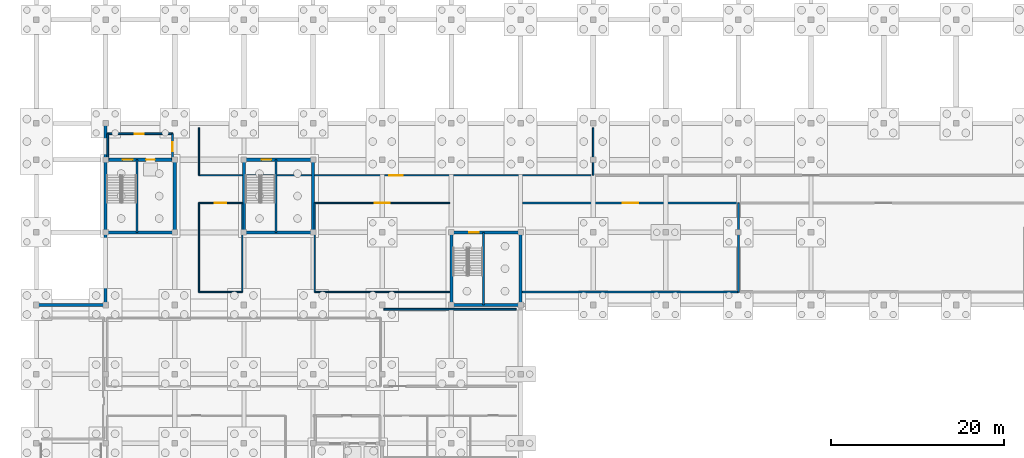
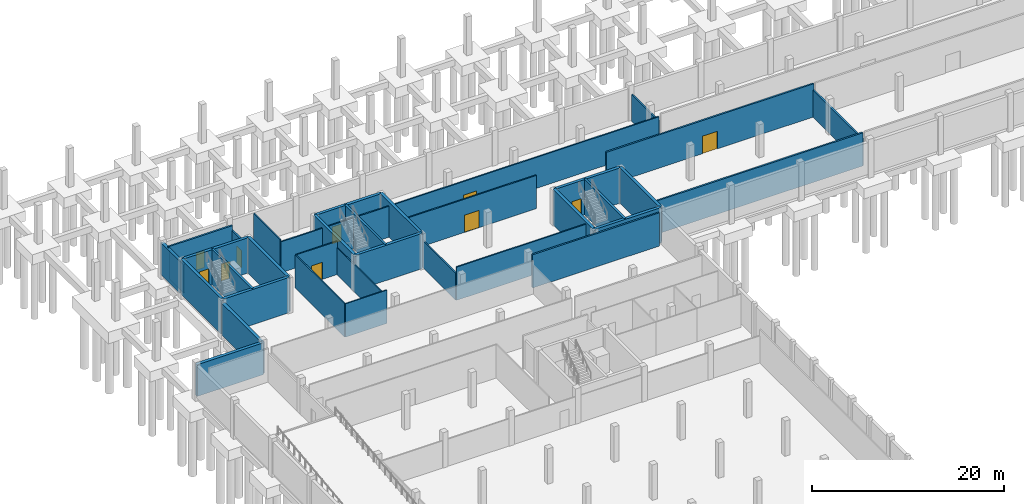
# One storey, part 12 of 22: 35 walls, 10 doors, 10 openings.
"""IFC4 building model written with IfcOpenShell, lengths in metres."""

from ifc_helpers import new_model, si_unit, direction, frame, frame_2d, origin, place, context, subcontext, project, spatial, rectangle, extrude, material, layer, layer_set, type_object, element, fill, save


model = new_model("IFC4")

# Units and contexts
model_context = context("Model", 3, precision=1e-05, world=origin(), true_north=direction((0.0, 1.0)))
body_context = subcontext(model_context, "Body", "Model", "MODEL_VIEW")
ifc_project = project(units=[si_unit("LENGTHUNIT", "METRE"), si_unit("AREAUNIT", "SQUARE_METRE"), si_unit("VOLUMEUNIT", "CUBIC_METRE"), si_unit("PLANEANGLEUNIT", "RADIAN"), si_unit("MASSUNIT", "GRAM", prefix="KILO")], contexts=[model_context])

# Site, building, storey
site_placement = place(None, origin())
site = spatial("IfcSite", under=ifc_project, at=site_placement, CompositionType="ELEMENT")
building_placement = place(site_placement, origin())
building = spatial("IfcBuilding", under=site, at=building_placement, Name="Vharandega Faculty of Natural Sciences", CompositionType="ELEMENT")
storey_placement = place(building_placement, frame((0.0, 0.0, -4.5)))
storey = spatial("IfcBuildingStorey", under=building, at=storey_placement, Name="B01", CompositionType="ELEMENT", Elevation=-4.5)

# Walls
ifc_material_1 = material(Name="Concrete C35/45", Category="concrete")
ifc_layer_1 = layer(ifc_material_1, 0.3798828125, Name="Concrete C35/45")
ifc_layer_set_1 = layer_set([ifc_layer_1], Name="Concrete C35/45")
wall_type_1 = type_object("IfcWallType", Name="Basement Retaining Wall 380", PredefinedType="USERDEFINED", material=ifc_layer_set_1)
wall_1_placement = place(storey_placement, frame((8.0, 64.0, 0.0), z_axis=(0.0, 0.0, 1.0), x_axis=(0.0, 1.0, 0.0)))
element("IfcWall", 1, at=wall_1_placement, inside=storey, type_object=wall_type_1, Name="Exterior Wall EW-B01-WN1", ObjectType="RETAINING WALL", PredefinedType="USERDEFINED", context=body_context, shape_type="SweptSolid", body=[
    extrude(rectangle(XDim=8.219970703125, YDim=0.3798828125, at=frame_2d((4.10986328125, 0.0))), origin(), (0.0, 0.0, 1.0), 4.050048828125),
])
wall_2_placement = place(storey_placement, frame((8.0, 80.97998046875, 0.0), z_axis=(0.0, 0.0, 1.0), x_axis=(0.0, 1.0, 0.0)))
element("IfcWall", 2, at=wall_2_placement, inside=storey, type_object=wall_type_1, Name="Exterior Wall EW-B01-WN2", ObjectType="RETAINING WALL", PredefinedType="USERDEFINED", context=body_context, shape_type="SweptSolid", body=[
    extrude(rectangle(XDim=4.02001953125, YDim=0.3798828125, at=frame_2d((2.010009765625, 0.0))), origin(), (0.0, 0.0, 1.0), 4.050048828125),
])
wall_3_placement = place(storey_placement, frame((0.0, 64.0, 0.0), z_axis=(0.0, 0.0, 1.0), x_axis=(1.0, 0.0, 0.0)))
element("IfcWall", 3, at=wall_3_placement, inside=storey, type_object=wall_type_1, Name="Exterior Wall EW-B01-NW", ObjectType="RETAINING WALL", PredefinedType="USERDEFINED", context=body_context, shape_type="SweptSolid", body=[
    extrude(rectangle(XDim=8.0, YDim=0.3798828125, at=frame_2d((4.0, 0.0))), origin(), (0.0, 0.0, 1.0), 4.050048828125),
])
ifc_material_2 = material(Name="Concrete C40/50", Category="concrete")
ifc_layer_2 = layer(ifc_material_2, 0.35009765625, Name="Concrete C40/50")
ifc_layer_set_2 = layer_set([ifc_layer_2], Name="Concrete C40/50")
wall_type_2 = type_object("IfcWallType", Name="Core Shear Wall 350", PredefinedType="SHEAR", material=ifc_layer_set_2)
wall_4_placement = place(storey_placement, frame((8.0, 72.39990234375, 0.0), z_axis=(0.0, 0.0, 1.0), x_axis=(1.0, 0.0, 0.0)))
element("IfcWall", 4, at=wall_4_placement, inside=storey, type_object=wall_type_2, Name="Interior Wall CW-C4-B01-S", PredefinedType="SHEAR", context=body_context, shape_type="SweptSolid", body=[
    extrude(rectangle(XDim=8.0, YDim=0.35009765625, at=frame_2d((4.0, 0.0))), origin(), (0.0, 0.0, 1.0), 4.5),
])
for number, where, z_axis, x_axis, name in (
    (5, (8.0, 72.39990234375, 0.0), (0.0, 0.0, 1.0), (0.0, 1.0, 0.0), "Interior Wall CW-C4-B01-W"),
    (6, (16.0, 72.39990234375, 0.0), (0.0, 0.0, 1.0), (0.0, 1.0, 0.0), "Interior Wall CW-C4-B01-E"),
):
    element("IfcWall", number, at=place(storey_placement, frame(where, z_axis=z_axis, x_axis=x_axis)), inside=storey, type_object=wall_type_2, Name=name, PredefinedType="SHEAR", context=body_context, shape_type="SweptSolid", body=[
        extrude(rectangle(XDim=8.400146484375, YDim=0.35009765625, at=frame_2d((4.2001953125, 0.0))), origin(), (0.0, 0.0, 1.0), 4.5),
    ])

# Wall, openings, doors
wall_5_placement = place(storey_placement, frame((8.0, 80.800048828125, 0.0), z_axis=(0.0, 0.0, 1.0), x_axis=(1.0, 0.0, 0.0)))
wall_5 = element("IfcWall", 7, at=wall_5_placement, inside=storey, type_object=wall_type_2, Name="Interior Wall CW-C4-B01-N", PredefinedType="SHEAR", context=body_context, shape_type="SweptSolid", body=[
    extrude(rectangle(XDim=8.0, YDim=0.35009765625, at=frame_2d((4.0, 0.0))), origin(), (0.0, 0.0, 1.0), 4.5),
])
opening_1_placement = place(wall_5_placement, frame((1.97998046875, 0.0, 0.0)))
opening_1 = element("IfcOpeningElement", 8, at=opening_1_placement, cuts=wall_5, Name="Opening FD1", PredefinedType="OPENING", context=body_context, shape_type="SweptSolid", body=[
    extrude(rectangle(XDim=1.14990234375, YDim=2.199951171875, at=frame_2d((0.574951171875, 1.10009765625))), frame((0.0, 0.18505859375, 0.0), z_axis=(0.0, -1.0, 0.0), x_axis=(1.0, 0.0, 0.0)), (0.0, 0.0, 1.0), 0.3701171875),
])
opening_2_placement = place(wall_5_placement, frame((4.699951171875, 0.0, 0.0)))
opening_2 = element("IfcOpeningElement", 9, at=opening_2_placement, cuts=wall_5, Name="Opening LD-LP2-B01", PredefinedType="OPENING", context=body_context, shape_type="SweptSolid", body=[
    extrude(rectangle(XDim=1.0, YDim=2.14990234375, at=frame_2d((0.5, 1.074951171875))), frame((0.0, 0.18505859375, 0.0), z_axis=(0.0, -1.0, 0.0), x_axis=(1.0, 0.0, 0.0)), (0.0, 0.0, 1.0), 0.3701171875),
])
ifc_material_3 = material(Name="Solid-core hardwood timber fire door", Category="wood")
door_type_1 = type_object("IfcDoorType", Name="FD1-STAIR-1150x2200", OperationType="NOTDEFINED", PredefinedType="DOOR", material=ifc_material_3)
door_1_placement = place(opening_1_placement, origin())
door_1 = element("IfcDoor", 10, at=door_1_placement, inside=storey, type_object=door_type_1, Name="Stair ST4 Fire Door FD1", OperationType="SINGLE_SWING_LEFT", OverallHeight=2.199951171875, OverallWidth=1.14990234375, PredefinedType="DOOR", context=body_context, shape_type="SweptSolid", body=[
    extrude(rectangle(XDim=1.14990234375, YDim=2.199951171875, at=frame_2d((0.574951171875, 1.10009765625))), frame((0.0, 0.02490234375, 0.0), z_axis=(0.0, -1.0, 0.0), x_axis=(1.0, 0.0, 0.0)), (0.0, 0.0, 1.0), 0.050048828125),
])
fill(opening_1, door_1)
ifc_material_4 = material(Name="Brushed stainless steel sliding landing door", Category="steel")
door_type_2 = type_object("IfcDoorType", Name="LD2-PAXLIFT-SLIDING-1000x2150", OperationType="DOUBLE_DOOR_SLIDING", PredefinedType="DOOR", material=ifc_material_4)
door_2_placement = place(opening_2_placement, origin())
door_2 = element("IfcDoor", 11, at=door_2_placement, inside=storey, type_object=door_type_2, Name="Lift Landing Door LD-LP2-B01", OperationType="DOUBLE_DOOR_SLIDING", OverallHeight=2.14990234375, OverallWidth=1.0, PredefinedType="DOOR", context=body_context, shape_type="SweptSolid", body=[
    extrude(rectangle(XDim=1.0, YDim=2.14990234375, at=frame_2d((0.5, 1.074951171875))), frame((0.0, 0.02490234375, 0.0), z_axis=(0.0, -1.0, 0.0), x_axis=(1.0, 0.0, 0.0)), (0.0, 0.0, 1.0), 0.050048828125),
])
fill(opening_2, door_2)

# Walls
wall_6_placement = place(storey_placement, frame((48.0, 64.0, 0.0), z_axis=(0.0, 0.0, 1.0), x_axis=(1.0, 0.0, 0.0)))
element("IfcWall", 12, at=wall_6_placement, inside=storey, type_object=wall_type_2, Name="Interior Wall CW-C5-B01-S", PredefinedType="SHEAR", context=body_context, shape_type="SweptSolid", body=[
    extrude(rectangle(XDim=8.0, YDim=0.35009765625, at=frame_2d((4.0, 0.0))), origin(), (0.0, 0.0, 1.0), 4.5),
])
for number, where, z_axis, x_axis, name in (
    (13, (48.0, 64.0, 0.0), (0.0, 0.0, 1.0), (0.0, 1.0, 0.0), "Interior Wall CW-C5-B01-W"),
    (14, (56.0, 64.0, 0.0), (0.0, 0.0, 1.0), (0.0, 1.0, 0.0), "Interior Wall CW-C5-B01-E"),
):
    element("IfcWall", number, at=place(storey_placement, frame(where, z_axis=z_axis, x_axis=x_axis)), inside=storey, type_object=wall_type_2, Name=name, PredefinedType="SHEAR", context=body_context, shape_type="SweptSolid", body=[
        extrude(rectangle(XDim=8.39990234375, YDim=0.35009765625, at=frame_2d((4.199951171875, 0.0))), origin(), (0.0, 0.0, 1.0), 4.5),
    ])

# Wall, opening, door
wall_7_placement = place(storey_placement, frame((48.0, 72.39990234375, 0.0), z_axis=(0.0, 0.0, 1.0), x_axis=(1.0, 0.0, 0.0)))
wall_7 = element("IfcWall", 15, at=wall_7_placement, inside=storey, type_object=wall_type_2, Name="Interior Wall CW-C5-B01-N", PredefinedType="SHEAR", context=body_context, shape_type="SweptSolid", body=[
    extrude(rectangle(XDim=8.0, YDim=0.35009765625, at=frame_2d((4.0, 0.0))), origin(), (0.0, 0.0, 1.0), 4.5),
])
opening_3_placement = place(wall_7_placement, frame((2.0400390625, 0.0, 0.0)))
opening_3 = element("IfcOpeningElement", 16, at=opening_3_placement, cuts=wall_7, Name="Opening FD1", PredefinedType="OPENING", context=body_context, shape_type="SweptSolid", body=[
    extrude(rectangle(XDim=1.14990234375, YDim=2.199951171875, at=frame_2d((0.574951171875, 1.10009765625))), frame((0.0, 0.18505859375, 0.0), z_axis=(0.0, -1.0, 0.0), x_axis=(1.0, 0.0, 0.0)), (0.0, 0.0, 1.0), 0.3701171875),
])
door_3_placement = place(opening_3_placement, origin())
door_3 = element("IfcDoor", 17, at=door_3_placement, inside=storey, type_object=door_type_1, Name="Stair ST5 Fire Door FD1", OperationType="SINGLE_SWING_LEFT", OverallHeight=2.199951171875, OverallWidth=1.14990234375, PredefinedType="DOOR", context=body_context, shape_type="SweptSolid", body=[
    extrude(rectangle(XDim=1.14990234375, YDim=2.199951171875, at=frame_2d((0.574951171875, 1.10009765625))), frame((0.0, 0.02490234375, 0.0), z_axis=(0.0, -1.0, 0.0), x_axis=(1.0, 0.0, 0.0)), (0.0, 0.0, 1.0), 0.050048828125),
])
fill(opening_3, door_3)

# Walls
wall_8_placement = place(storey_placement, frame((24.0, 72.39990234375, 0.0), z_axis=(0.0, 0.0, 1.0), x_axis=(1.0, 0.0, 0.0)))
element("IfcWall", 18, at=wall_8_placement, inside=storey, type_object=wall_type_2, Name="Interior Wall CW-C6-B01-S", PredefinedType="SHEAR", context=body_context, shape_type="SweptSolid", body=[
    extrude(rectangle(XDim=8.0, YDim=0.35009765625, at=frame_2d((4.0, 0.0))), origin(), (0.0, 0.0, 1.0), 4.5),
])
for number, where, z_axis, x_axis, name in (
    (19, (24.0, 72.39990234375, 0.0), (0.0, 0.0, 1.0), (0.0, 1.0, 0.0), "Interior Wall CW-C6-B01-W"),
    (20, (32.0, 72.39990234375, 0.0), (0.0, 0.0, 1.0), (0.0, 1.0, 0.0), "Interior Wall CW-C6-B01-E"),
):
    element("IfcWall", number, at=place(storey_placement, frame(where, z_axis=z_axis, x_axis=x_axis)), inside=storey, type_object=wall_type_2, Name=name, PredefinedType="SHEAR", context=body_context, shape_type="SweptSolid", body=[
        extrude(rectangle(XDim=8.400146484375, YDim=0.35009765625, at=frame_2d((4.2001953125, 0.0))), origin(), (0.0, 0.0, 1.0), 4.5),
    ])

# Wall, opening, door
wall_9_placement = place(storey_placement, frame((24.0, 80.800048828125, 0.0), z_axis=(0.0, 0.0, 1.0), x_axis=(1.0, 0.0, 0.0)))
wall_9 = element("IfcWall", 21, at=wall_9_placement, inside=storey, type_object=wall_type_2, Name="Interior Wall CW-C6-B01-N", PredefinedType="SHEAR", context=body_context, shape_type="SweptSolid", body=[
    extrude(rectangle(XDim=8.0, YDim=0.35009765625, at=frame_2d((4.0, 0.0))), origin(), (0.0, 0.0, 1.0), 4.5),
])
opening_4_placement = place(wall_9_placement, frame((2.0400390625, 0.0, 0.0)))
opening_4 = element("IfcOpeningElement", 22, at=opening_4_placement, cuts=wall_9, Name="Opening FD1", PredefinedType="OPENING", context=body_context, shape_type="SweptSolid", body=[
    extrude(rectangle(XDim=1.14990234375, YDim=2.199951171875, at=frame_2d((0.574951171875, 1.10009765625))), frame((0.0, 0.18505859375, 0.0), z_axis=(0.0, -1.0, 0.0), x_axis=(1.0, 0.0, 0.0)), (0.0, 0.0, 1.0), 0.3701171875),
])
door_4_placement = place(opening_4_placement, origin())
door_4 = element("IfcDoor", 23, at=door_4_placement, inside=storey, type_object=door_type_1, Name="Stair ST6 Fire Door FD1", OperationType="SINGLE_SWING_LEFT", OverallHeight=2.199951171875, OverallWidth=1.14990234375, PredefinedType="DOOR", context=body_context, shape_type="SweptSolid", body=[
    extrude(rectangle(XDim=1.14990234375, YDim=2.199951171875, at=frame_2d((0.574951171875, 1.10009765625))), frame((0.0, 0.02490234375, 0.0), z_axis=(0.0, -1.0, 0.0), x_axis=(1.0, 0.0, 0.0)), (0.0, 0.0, 1.0), 0.050048828125),
])
fill(opening_4, door_4)

ifc_material_5 = material(Name="Concrete C40/50", Category="concrete")
ifc_layer_3 = layer(ifc_material_5, 0.199951171875, Name="Concrete C40/50")
ifc_layer_set_3 = layer_set([ifc_layer_3], Name="Concrete C40/50")
wall_type_3 = type_object("IfcWallType", Name="Firefighting Lobby Wall 200", PredefinedType="PARTITIONING", material=ifc_layer_set_3)
wall_10_placement = place(storey_placement, frame((8.0, 83.800048828125, 0.0), z_axis=(0.0, 0.0, 1.0), x_axis=(1.0, 0.0, 0.0)))
wall_10 = element("IfcWall", 24, at=wall_10_placement, inside=storey, type_object=wall_type_3, Name="Interior Wall PW-LL-C4-B01-N", PredefinedType="PARTITIONING", context=body_context, shape_type="SweptSolid", body=[
    extrude(rectangle(XDim=7.75, YDim=0.199951171875, at=frame_2d((3.875, 0.0))), origin(), (0.0, 0.0, 1.0), 4.219970703125),
])
opening_5_placement = place(wall_10_placement, frame((3.375, 0.0, 0.0)))
opening_5 = element("IfcOpeningElement", 25, at=opening_5_placement, cuts=wall_10, Name="Opening FD4", PredefinedType="OPENING", context=body_context, shape_type="SweptSolid", body=[
    extrude(rectangle(XDim=1.050048828125, YDim=2.14990234375, at=frame_2d((0.52490234375, 1.074951171875))), frame((0.0, 0.10986328125, 0.0), z_axis=(0.0, -1.0, 0.0), x_axis=(1.0, 0.0, 0.0)), (0.0, 0.0, 1.0), 0.219970703125),
])
ifc_material_6 = material(Name="Solid-core hardwood timber fire door", Category="wood")
door_type_3 = type_object("IfcDoorType", Name="FD4-LAB-SGL-1050x2150", OperationType="NOTDEFINED", PredefinedType="DOOR", material=ifc_material_6)
door_5_placement = place(opening_5_placement, origin())
door_5 = element("IfcDoor", 26, at=door_5_placement, inside=storey, type_object=door_type_3, Name="Lift Lobby C4 Door FD4", OperationType="SINGLE_SWING_LEFT", OverallHeight=2.14990234375, OverallWidth=1.050048828125, PredefinedType="DOOR", context=body_context, shape_type="SweptSolid", body=[
    extrude(rectangle(XDim=1.050048828125, YDim=2.14990234375, at=frame_2d((0.52490234375, 1.074951171875))), frame((0.0, 0.02490234375, 0.0), z_axis=(0.0, -1.0, 0.0), x_axis=(1.0, 0.0, 0.0)), (0.0, 0.0, 1.0), 0.050048828125),
])
fill(opening_5, door_5)

wall_11_placement = place(storey_placement, frame((15.75, 80.800048828125, 0.0), z_axis=(0.0, 0.0, 1.0), x_axis=(0.0, 1.0, 0.0)))
wall_11 = element("IfcWall", 27, at=wall_11_placement, inside=storey, type_object=wall_type_3, Name="Interior Wall PW-LL-C4-B01-E", PredefinedType="PARTITIONING", context=body_context, shape_type="SweptSolid", body=[
    extrude(rectangle(XDim=3.0, YDim=0.199951171875, at=frame_2d((1.5, 0.0))), origin(), (0.0, 0.0, 1.0), 3.6201171875),
])
opening_6_placement = place(wall_11_placement, frame((0.97509765625, 0.0, 0.0)))
opening_6 = element("IfcOpeningElement", 28, at=opening_6_placement, cuts=wall_11, Name="Opening FD4", PredefinedType="OPENING", context=body_context, shape_type="SweptSolid", body=[
    extrude(rectangle(XDim=1.050048828125, YDim=2.14990234375, at=frame_2d((0.52490234375, 1.074951171875))), frame((0.0, 0.10986328125, 0.0), z_axis=(0.0, -1.0, 0.0), x_axis=(1.0, 0.0, 0.0)), (0.0, 0.0, 1.0), 0.219970703125),
])
door_6_placement = place(opening_6_placement, origin())
door_6 = element("IfcDoor", 29, at=door_6_placement, inside=storey, type_object=door_type_3, Name="Lift Lobby C4 East Door FD4", OperationType="SINGLE_SWING_RIGHT", OverallHeight=2.14990234375, OverallWidth=1.050048828125, PredefinedType="DOOR", context=body_context, shape_type="SweptSolid", body=[
    extrude(rectangle(XDim=1.050048828125, YDim=2.14990234375, at=frame_2d((0.52490234375, 1.074951171875))), frame((0.0, 0.02490234375, 0.0), z_axis=(0.0, -1.0, 0.0), x_axis=(1.0, 0.0, 0.0)), (0.0, 0.0, 1.0), 0.050048828125),
])
fill(opening_6, door_6)

# Walls
wall_12_placement = place(storey_placement, frame((8.25, 80.800048828125, 0.0), z_axis=(0.0, 0.0, 1.0), x_axis=(0.0, 1.0, 0.0)))
element("IfcWall", 30, at=wall_12_placement, inside=storey, type_object=wall_type_3, Name="Interior Wall PW-LL-C4-B01-W", PredefinedType="PARTITIONING", context=body_context, shape_type="SweptSolid", body=[
    extrude(rectangle(XDim=3.0, YDim=0.199951171875, at=frame_2d((1.5, 0.0))), origin(), (0.0, 0.0, 1.0), 3.6201171875),
])
wall_13_placement = place(storey_placement, frame((40.199951171875, 63.5, 0.0), z_axis=(0.0, 0.0, 1.0), x_axis=(1.0, 0.0, 0.0)))
element("IfcWall", 31, at=wall_13_placement, inside=storey, type_object=wall_type_3, Name="Interior Wall PW-B01-R08N", PredefinedType="PARTITIONING", context=body_context, shape_type="SweptSolid", body=[
    extrude(rectangle(XDim=15.300048828125, YDim=0.199951171875, at=frame_2d((7.64990234375, 0.0))), origin(), (0.0, 0.0, 1.0), 4.239990234375),
])
wall_14_placement = place(storey_placement, frame((56.199951171875, 65.5, 0.0), z_axis=(0.0, 0.0, 1.0), x_axis=(1.0, 0.0, 0.0)))
element("IfcWall", 32, at=wall_14_placement, inside=storey, type_object=wall_type_3, Name="Interior Wall PW-B01-R11S", PredefinedType="PARTITIONING", context=body_context, shape_type="SweptSolid", body=[
    extrude(rectangle(XDim=25.0, YDim=0.199951171875, at=frame_2d((12.5, 0.0))), origin(), (0.0, 0.0, 1.0), 4.239990234375),
])

# Wall, opening, door
wall_15_placement = place(storey_placement, frame((56.199951171875, 75.800048828125, 0.0), z_axis=(0.0, 0.0, 1.0), x_axis=(1.0, 0.0, 0.0)))
wall_15 = element("IfcWall", 33, at=wall_15_placement, inside=storey, type_object=wall_type_3, Name="Interior Wall PW-B01-R11N", PredefinedType="PARTITIONING", context=body_context, shape_type="SweptSolid", body=[
    extrude(rectangle(XDim=25.0, YDim=0.199951171875, at=frame_2d((12.5, 0.0))), origin(), (0.0, 0.0, 1.0), 4.239990234375),
])
opening_7_placement = place(wall_15_placement, frame((11.60009765625, 0.0, 0.0)))
opening_7 = element("IfcOpeningElement", 34, at=opening_7_placement, cuts=wall_15, Name="Opening FD5", PredefinedType="OPENING", context=body_context, shape_type="SweptSolid", body=[
    extrude(rectangle(XDim=1.800048828125, YDim=2.25, at=frame_2d((0.89990234375, 1.125))), frame((0.0, 0.10986328125, 0.0), z_axis=(0.0, -1.0, 0.0), x_axis=(1.0, 0.0, 0.0)), (0.0, 0.0, 1.0), 0.219970703125),
])
ifc_material_7 = material(Name="Solid-core hardwood timber fire door", Category="wood")
door_type_4 = type_object("IfcDoorType", Name="FD5-PLANT-DBL-1800x2250", OperationType="DOUBLE_DOOR_SINGLE_SWING", PredefinedType="DOOR", material=ifc_material_7)
door_7_placement = place(opening_7_placement, origin())
door_7 = element("IfcDoor", 35, at=door_7_placement, inside=storey, type_object=door_type_4, Name="Central Chemical and Specimen Store Door FD5", OperationType="DOUBLE_DOOR_SINGLE_SWING", OverallHeight=2.25, OverallWidth=1.800048828125, PredefinedType="DOOR", context=body_context, shape_type="SweptSolid", body=[
    extrude(rectangle(XDim=1.800048828125, YDim=2.25, at=frame_2d((0.89990234375, 1.125))), frame((0.0, 0.02490234375, 0.0), z_axis=(0.0, -1.0, 0.0), x_axis=(1.0, 0.0, 0.0)), (0.0, 0.0, 1.0), 0.050048828125),
])
fill(opening_7, door_7)

# Walls
wall_16_placement = place(storey_placement, frame((81.199951171875, 65.5, 0.0), z_axis=(0.0, 0.0, 1.0), x_axis=(0.0, 1.0, 0.0)))
element("IfcWall", 36, at=wall_16_placement, inside=storey, type_object=wall_type_3, Name="Interior Wall PW-B01-R11E", PredefinedType="PARTITIONING", context=body_context, shape_type="SweptSolid", body=[
    extrude(rectangle(XDim=10.300048828125, YDim=0.199951171875, at=frame_2d((5.14990234375, 0.0))), origin(), (0.0, 0.0, 1.0), 3.449951171875),
])
ifc_material_8 = material(Name="Gypsum fire-board on steel stud", Category="steel")
ifc_layer_4 = layer(ifc_material_8, 0.159912109375, Name="Gypsum fire-board on steel stud")
ifc_layer_set_4 = layer_set([ifc_layer_4], Name="Gypsum fire-board on steel stud")
wall_type_4 = type_object("IfcWallType", Name="Laboratory Fire Corridor Wall 160", PredefinedType="PARTITIONING", material=ifc_layer_set_4)
wall_17_placement = place(storey_placement, frame((32.199951171875, 65.5, 0.0), z_axis=(0.0, 0.0, 1.0), x_axis=(1.0, 0.0, 0.0)))
element("IfcWall", 37, at=wall_17_placement, inside=storey, type_object=wall_type_4, Name="Interior Wall PW-B01-R10S", PredefinedType="PARTITIONING", context=body_context, shape_type="SweptSolid", body=[
    extrude(rectangle(XDim=15.60009765625, YDim=0.159912109375, at=frame_2d((7.800048828125, 0.0))), origin(), (0.0, 0.0, 1.0), 4.239990234375),
])

# Wall, opening, door
wall_18_placement = place(storey_placement, frame((32.199951171875, 75.800048828125, 0.0), z_axis=(0.0, 0.0, 1.0), x_axis=(1.0, 0.0, 0.0)))
wall_18 = element("IfcWall", 38, at=wall_18_placement, inside=storey, type_object=wall_type_4, Name="Interior Wall PW-B01-R10N", PredefinedType="PARTITIONING", context=body_context, shape_type="SweptSolid", body=[
    extrude(rectangle(XDim=15.60009765625, YDim=0.159912109375, at=frame_2d((7.800048828125, 0.0))), origin(), (0.0, 0.0, 1.0), 4.239990234375),
])
opening_8_placement = place(wall_18_placement, frame((6.925048828125, 0.0, 0.0)))
opening_8 = element("IfcOpeningElement", 39, at=opening_8_placement, cuts=wall_18, Name="Opening D0222", PredefinedType="OPENING", context=body_context, shape_type="SweptSolid", body=[
    extrude(rectangle(XDim=1.75, YDim=2.199951171875, at=frame_2d((0.875, 1.10009765625))), frame((0.0, 0.08984375, 0.0), z_axis=(0.0, -1.0, 0.0), x_axis=(1.0, 0.0, 0.0)), (0.0, 0.0, 1.0), 0.179931640625),
])
ifc_material_9 = material(Name="Solid-core hardwood timber fire door", Category="wood")
door_type_5 = type_object("IfcDoorType", Name="ID09-HERBARIUM-DBL-1750x2200", OperationType="DOUBLE_DOOR_SINGLE_SWING", PredefinedType="DOOR", material=ifc_material_9)
door_8_placement = place(opening_8_placement, origin())
door_8 = element("IfcDoor", 40, at=door_8_placement, inside=storey, type_object=door_type_5, Name="Herbarium Cryogenic Specimen Vault Door D0222", OperationType="DOUBLE_DOOR_SINGLE_SWING", OverallHeight=2.199951171875, OverallWidth=1.75, PredefinedType="DOOR", context=body_context, shape_type="SweptSolid", body=[
    extrude(rectangle(XDim=1.75, YDim=2.199951171875, at=frame_2d((0.875, 1.10009765625))), frame((0.0, 0.02490234375, 0.0), z_axis=(0.0, -1.0, 0.0), x_axis=(1.0, 0.0, 0.0)), (0.0, 0.0, 1.0), 0.050048828125),
])
fill(opening_8, door_8)

# Wall
wall_19_placement = place(storey_placement, frame((32.199951171875, 65.5, 0.0), z_axis=(0.0, 0.0, 1.0), x_axis=(0.0, 1.0, 0.0)))
element("IfcWall", 41, at=wall_19_placement, inside=storey, type_object=wall_type_4, Name="Interior Wall PW-B01-R10W", PredefinedType="PARTITIONING", context=body_context, shape_type="SweptSolid", body=[
    extrude(rectangle(XDim=10.300048828125, YDim=0.159912109375, at=frame_2d((5.14990234375, 0.0))), origin(), (0.0, 0.0, 1.0), 3.449951171875),
])

# Wall, opening, door
wall_20_placement = place(storey_placement, frame((18.800048828125, 79.0, 0.0), z_axis=(0.0, 0.0, 1.0), x_axis=(1.0, 0.0, 0.0)))
wall_20 = element("IfcWall", 42, at=wall_20_placement, inside=storey, type_object=wall_type_4, Name="Interior Wall PW-B01-R14S", PredefinedType="PARTITIONING", context=body_context, shape_type="SweptSolid", body=[
    extrude(rectangle(XDim=45.599853515625, YDim=0.159912109375, at=frame_2d((22.7998046875, 0.0))), origin(), (0.0, 0.0, 1.0), 3.949951171875),
])
opening_9_placement = place(wall_20_placement, frame((22.0, 0.0, 0.0)))
opening_9 = element("IfcOpeningElement", 43, at=opening_9_placement, cuts=wall_20, Name="Opening FD3", PredefinedType="OPENING", context=body_context, shape_type="SweptSolid", body=[
    extrude(rectangle(XDim=1.60009765625, YDim=2.199951171875, at=frame_2d((0.800048828125, 1.10009765625))), frame((0.0, 0.08984375, 0.0), z_axis=(0.0, -1.0, 0.0), x_axis=(1.0, 0.0, 0.0)), (0.0, 0.0, 1.0), 0.179931640625),
])
ifc_material_10 = material(Name="Solid-core hardwood timber fire door", Category="wood")
door_type_6 = type_object("IfcDoorType", Name="FD3-LAB-DBL-1600x2200", OperationType="DOUBLE_DOOR_SINGLE_SWING", PredefinedType="DOOR", material=ifc_material_10)
door_9_placement = place(opening_9_placement, origin())
door_9 = element("IfcDoor", 44, at=door_9_placement, inside=storey, type_object=door_type_6, Name="Laboratory Acid-Neutralization and Pump Plant Door FD3", OperationType="DOUBLE_DOOR_SINGLE_SWING", OverallHeight=2.199951171875, OverallWidth=1.60009765625, PredefinedType="DOOR", context=body_context, shape_type="SweptSolid", body=[
    extrude(rectangle(XDim=1.60009765625, YDim=2.199951171875, at=frame_2d((0.800048828125, 1.10009765625))), frame((0.0, 0.02490234375, 0.0), z_axis=(0.0, -1.0, 0.0), x_axis=(1.0, 0.0, 0.0)), (0.0, 0.0, 1.0), 0.050048828125),
])
fill(opening_9, door_9)

# Walls
wall_21_placement = place(storey_placement, frame((18.800048828125, 79.0, 0.0), z_axis=(0.0, 0.0, 1.0), x_axis=(0.0, 1.0, 0.0)))
element("IfcWall", 45, at=wall_21_placement, inside=storey, type_object=wall_type_4, Name="Interior Wall PW-B01-R14W", PredefinedType="PARTITIONING", context=body_context, shape_type="SweptSolid", body=[
    extrude(rectangle(XDim=5.5, YDim=0.159912109375, at=frame_2d((2.75, 0.0))), origin(), (0.0, 0.0, 1.0), 4.239990234375),
])
wall_22_placement = place(storey_placement, frame((64.39990234375, 79.0, 0.0), z_axis=(0.0, 0.0, 1.0), x_axis=(0.0, 1.0, 0.0)))
element("IfcWall", 46, at=wall_22_placement, inside=storey, type_object=wall_type_4, Name="Interior Wall PW-B01-R14E", PredefinedType="PARTITIONING", context=body_context, shape_type="SweptSolid", body=[
    extrude(rectangle(XDim=5.5, YDim=0.159912109375, at=frame_2d((2.75, 0.0))), origin(), (0.0, 0.0, 1.0), 3.449951171875),
])
ifc_material_11 = material(Name="Concrete C40/50", Category="concrete")
ifc_layer_5 = layer(ifc_material_11, 0.260009765625, Name="Concrete C40/50")
ifc_layer_set_5 = layer_set([ifc_layer_5], Name="Concrete C40/50")
wall_type_5 = type_object("IfcWallType", Name="Lift Shaft Shear Wall 260", PredefinedType="SHEAR", material=ifc_layer_set_5)
wall_23_placement = place(storey_placement, frame((11.639892578125, 72.39990234375, 0.0), z_axis=(0.0, 0.0, 1.0), x_axis=(0.0, 1.0, 0.0)))
element("IfcWall", 47, at=wall_23_placement, inside=storey, type_object=wall_type_5, Name="Interior Wall CW-C4-B01-DIV", PredefinedType="SHEAR", context=body_context, shape_type="SweptSolid", body=[
    extrude(rectangle(XDim=8.400146484375, YDim=0.260009765625, at=frame_2d((4.2001953125, 0.0))), origin(), (0.0, 0.0, 1.0), 4.5),
])
wall_24_placement = place(storey_placement, frame((51.699951171875, 64.0, 0.0), z_axis=(0.0, 0.0, 1.0), x_axis=(0.0, 1.0, 0.0)))
element("IfcWall", 48, at=wall_24_placement, inside=storey, type_object=wall_type_5, Name="Interior Wall CW-C5-B01-DIV", PredefinedType="SHEAR", context=body_context, shape_type="SweptSolid", body=[
    extrude(rectangle(XDim=8.39990234375, YDim=0.260009765625, at=frame_2d((4.199951171875, 0.0))), origin(), (0.0, 0.0, 1.0), 4.5),
])
wall_25_placement = place(storey_placement, frame((27.699951171875, 72.39990234375, 0.0), z_axis=(0.0, 0.0, 1.0), x_axis=(0.0, 1.0, 0.0)))
element("IfcWall", 49, at=wall_25_placement, inside=storey, type_object=wall_type_5, Name="Interior Wall CW-C6-B01-DIV", PredefinedType="SHEAR", context=body_context, shape_type="SweptSolid", body=[
    extrude(rectangle(XDim=8.400146484375, YDim=0.260009765625, at=frame_2d((4.2001953125, 0.0))), origin(), (0.0, 0.0, 1.0), 4.5),
])
ifc_material_12 = material(Name="Gypsum acoustic partition", Category="gypsum")
ifc_layer_6 = layer(ifc_material_12, 0.139892578125, Name="Gypsum acoustic partition")
ifc_layer_set_6 = layer_set([ifc_layer_6], Name="Gypsum acoustic partition")
wall_type_6 = type_object("IfcWallType", Name="Room Partition Wall 140", PredefinedType="PARTITIONING", material=ifc_layer_set_6)
wall_26_placement = place(storey_placement, frame((18.800048828125, 65.5, 0.0), z_axis=(0.0, 0.0, 1.0), x_axis=(1.0, 0.0, 0.0)))
element("IfcWall", 50, at=wall_26_placement, inside=storey, type_object=wall_type_6, Name="Interior Wall PW-B01-R09S", PredefinedType="PARTITIONING", context=body_context, shape_type="SweptSolid", body=[
    extrude(rectangle(XDim=5.0, YDim=0.139892578125, at=frame_2d((2.5, 0.0))), origin(), (0.0, 0.0, 1.0), 4.239990234375),
])

# Wall, opening, door
wall_27_placement = place(storey_placement, frame((18.800048828125, 75.800048828125, 0.0), z_axis=(0.0, 0.0, 1.0), x_axis=(1.0, 0.0, 0.0)))
wall_27 = element("IfcWall", 51, at=wall_27_placement, inside=storey, type_object=wall_type_6, Name="Interior Wall PW-B01-R09N", PredefinedType="PARTITIONING", context=body_context, shape_type="SweptSolid", body=[
    extrude(rectangle(XDim=5.0, YDim=0.139892578125, at=frame_2d((2.5, 0.0))), origin(), (0.0, 0.0, 1.0), 4.239990234375),
])
opening_10_placement = place(wall_27_placement, frame((1.840087890625, 0.0, 0.0)))
opening_10 = element("IfcOpeningElement", 52, at=opening_10_placement, cuts=wall_27, Name="Opening D0221", PredefinedType="OPENING", context=body_context, shape_type="SweptSolid", body=[
    extrude(rectangle(XDim=1.320068359375, YDim=2.199951171875, at=frame_2d((0.66015625, 1.10009765625))), frame((0.0, 0.080078125, 0.0), z_axis=(0.0, -1.0, 0.0), x_axis=(1.0, 0.0, 0.0)), (0.0, 0.0, 1.0), 0.159912109375),
])
ifc_material_13 = material(Name="Solid-core hardwood timber fire door", Category="wood")
door_type_7 = type_object("IfcDoorType", Name="ID14-ARCHIVE-1320x2200", OperationType="NOTDEFINED", PredefinedType="DOOR", material=ifc_material_13)
door_10_placement = place(opening_10_placement, origin())
door_10 = element("IfcDoor", 53, at=door_10_placement, inside=storey, type_object=door_type_7, Name="West Specimen Cold Vault Door D0221", OperationType="SINGLE_SWING_LEFT", OverallHeight=2.199951171875, OverallWidth=1.320068359375, PredefinedType="DOOR", context=body_context, shape_type="SweptSolid", body=[
    extrude(rectangle(XDim=1.320068359375, YDim=2.199951171875, at=frame_2d((0.66015625, 1.10009765625))), frame((0.0, 0.02490234375, 0.0), z_axis=(0.0, -1.0, 0.0), x_axis=(1.0, 0.0, 0.0)), (0.0, 0.0, 1.0), 0.050048828125),
])
fill(opening_10, door_10)

# Walls
wall_28_placement = place(storey_placement, frame((18.800048828125, 65.5, 0.0), z_axis=(0.0, 0.0, 1.0), x_axis=(0.0, 1.0, 0.0)))
element("IfcWall", 54, at=wall_28_placement, inside=storey, type_object=wall_type_6, Name="Interior Wall PW-B01-R09W", PredefinedType="PARTITIONING", context=body_context, shape_type="SweptSolid", body=[
    extrude(rectangle(XDim=10.300048828125, YDim=0.139892578125, at=frame_2d((5.14990234375, 0.0))), origin(), (0.0, 0.0, 1.0), 4.239990234375),
])
wall_29_placement = place(storey_placement, frame((23.800048828125, 65.5, 0.0), z_axis=(0.0, 0.0, 1.0), x_axis=(0.0, 1.0, 0.0)))
element("IfcWall", 55, at=wall_29_placement, inside=storey, type_object=wall_type_6, Name="Interior Wall PW-B01-R09E", PredefinedType="PARTITIONING", context=body_context, shape_type="SweptSolid", body=[
    extrude(rectangle(XDim=10.300048828125, YDim=0.139892578125, at=frame_2d((5.14990234375, 0.0))), origin(), (0.0, 0.0, 1.0), 3.449951171875),
])

save(model, "model.ifc")
